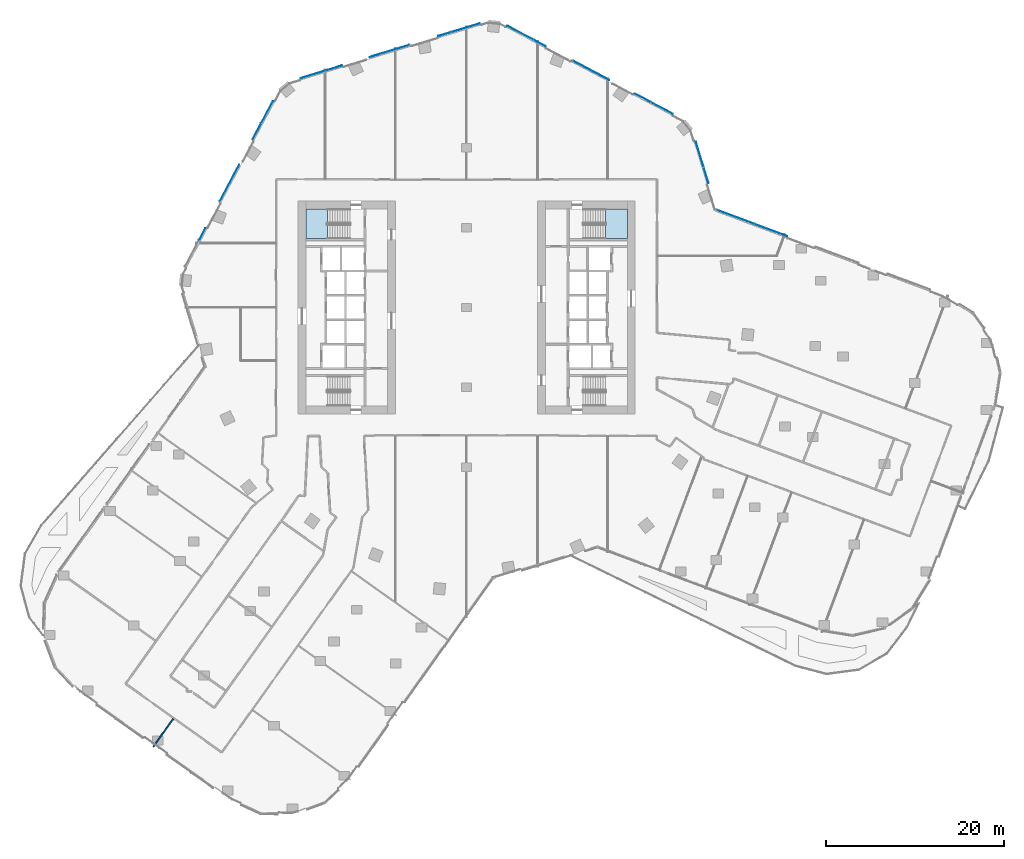
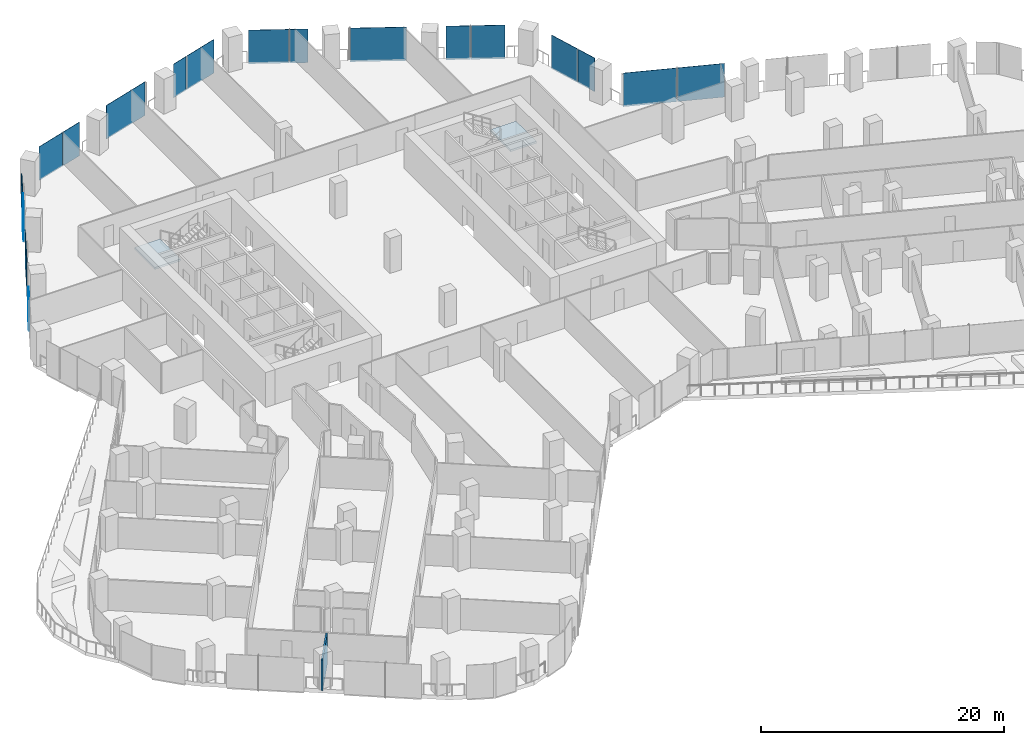
# One storey, part 20 of 30: 18 plates, 2 slabs, 1 wall, 7 elements without a shape of their own.
"""IFC4 building model written with IfcOpenShell, lengths in metres."""

from ifc_helpers import new_model, si_unit, direction, frame, frame_2d, origin, origin_2d, place, context, subcontext, project, spatial, polyline, rectangle, outline, extrude, material, layer, layer_set, type_object, element, aggregate, save


model = new_model("IFC4")

# Units and contexts
model_context = context("Model", 3, precision=1e-05, world=origin(), true_north=direction((0.0, 1.0)))
body_context = subcontext(model_context, "Body", "Model", "MODEL_VIEW")
ifc_project = project(units=[si_unit("LENGTHUNIT", "METRE"), si_unit("AREAUNIT", "SQUARE_METRE"), si_unit("VOLUMEUNIT", "CUBIC_METRE"), si_unit("PLANEANGLEUNIT", "RADIAN"), si_unit("MASSUNIT", "GRAM", prefix="KILO")], contexts=[model_context])

# Site, building, storey
site_placement = place(None, origin())
site = spatial("IfcSite", under=ifc_project, at=site_placement, CompositionType="ELEMENT")
building_placement = place(site_placement, origin())
building = spatial("IfcBuilding", under=site, at=building_placement, Name="Orlundy Tower", CompositionType="ELEMENT")
storey_placement = place(building_placement, frame((0.0, 0.0, 80.699951171875)))
storey = spatial("IfcBuildingStorey", under=building, at=storey_placement, Name="L19", CompositionType="ELEMENT", Elevation=80.699951171875)

# Curtain wall, plates
ifc_material_1 = material(Name="Aluminium bronze anodised", Category="aluminium")
curtain_wall_type = type_object("IfcCurtainWallType", Name="CW1 wall", PredefinedType="NOTDEFINED", material=ifc_material_1)
curtain_wall_1_placement = place(storey_placement, origin())
curtain_wall_1 = element("IfcCurtainWall", 1, at=curtain_wall_1_placement, inside=storey, type_object=curtain_wall_type, Name="CW1 run 02", PredefinedType="NOTDEFINED")
ifc_material_2 = material(Name="Tinted glass", Category="glass")
ifc_layer_1 = layer(ifc_material_2, 0.031982421875)
ifc_layer_set_1 = layer_set([ifc_layer_1], Name="CW1 glass panel 32")
plate_type = type_object("IfcPlateType", Name="CW1 glass panel 32", PredefinedType="CURTAIN_PANEL", material=ifc_layer_set_1)
plate_1_placement = place(storey_placement, frame((-29.769287109375, 8.262451171875, -0.27978515625), z_axis=(0.0, 0.0, 1.0), x_axis=(0.469445471129, 0.882961465544, 0.0)))
plate_1 = element("IfcPlate", 2, at=plate_1_placement, type_object=plate_type, Name="CW1 panel", PredefinedType="CURTAIN_PANEL", context=body_context, shape_type="SweptSolid", body=[
    extrude(rectangle(XDim=1.500732421875, YDim=0.031982421875, at=origin_2d()), origin(), (0.0, 0.0, 1.0), 3.3798828125),
])
plate_2_placement = place(storey_placement, frame((-26.697265625, 14.040771484375, -0.27978515625), z_axis=(0.0, 0.0, 1.0), x_axis=(0.469445471129, 0.882961465544, 0.0)))
plate_2 = element("IfcPlate", 3, at=plate_2_placement, type_object=plate_type, Name="CW1 panel", PredefinedType="CURTAIN_PANEL", context=body_context, shape_type="SweptSolid", body=[
    extrude(rectangle(XDim=4.6484375, YDim=0.031982421875, at=origin_2d()), origin(), (0.0, 0.0, 1.0), 3.3798828125),
])
plate_3_placement = place(storey_placement, frame((-23.61865234375, 19.8310546875, -0.27978515625), z_axis=(0.0, 0.0, 1.0), x_axis=(0.469445471129, 0.882961465544, 0.0)))
plate_3 = element("IfcPlate", 4, at=plate_3_placement, type_object=plate_type, Name="CW1 panel", PredefinedType="CURTAIN_PANEL", context=body_context, shape_type="SweptSolid", body=[
    extrude(rectangle(XDim=2.018310546875, YDim=0.031982421875, at=origin_2d()), origin(), (0.0, 0.0, 1.0), 3.3798828125),
])
plate_4_placement = place(storey_placement, frame((-22.465576171875, 22.0, -0.27978515625), z_axis=(0.0, 0.0, 1.0), x_axis=(0.469445471129, 0.882961465544, 0.0)))
plate_4 = element("IfcPlate", 5, at=plate_4_placement, type_object=plate_type, Name="CW1 panel", PredefinedType="CURTAIN_PANEL", context=body_context, shape_type="SweptSolid", body=[
    extrude(rectangle(XDim=2.79443359375, YDim=0.031982421875, at=origin_2d()), origin(), (0.0, 0.0, 1.0), 3.3798828125),
])
aggregate(curtain_wall_1, [plate_1, plate_2, plate_3, plate_4])

curtain_wall_2_placement = place(storey_placement, origin())
curtain_wall_2 = element("IfcCurtainWall", 6, at=curtain_wall_2_placement, inside=storey, type_object=curtain_wall_type, Name="CW1 run 03", PredefinedType="NOTDEFINED")
plate_5_placement = place(storey_placement, frame((-17.322998046875, 26.24609375, -0.27978515625), z_axis=(0.0, 0.0, 1.0), x_axis=(0.956308143364, 0.292360624804, 0.0)))
plate_5 = element("IfcPlate", 7, at=plate_5_placement, type_object=plate_type, Name="CW1 panel", PredefinedType="CURTAIN_PANEL", context=body_context, shape_type="SweptSolid", body=[
    extrude(rectangle(XDim=2.822265625, YDim=0.031982421875, at=origin_2d()), origin(), (0.0, 0.0, 1.0), 3.3798828125),
])
plate_6_placement = place(storey_placement, frame((-14.978271484375, 26.962890625, -0.27978515625), z_axis=(0.0, 0.0, 1.0), x_axis=(0.956308143364, 0.292360624804, 0.0)))
plate_6 = element("IfcPlate", 8, at=plate_6_placement, type_object=plate_type, Name="CW1 panel", PredefinedType="CURTAIN_PANEL", context=body_context, shape_type="SweptSolid", body=[
    extrude(rectangle(XDim=1.981201171875, YDim=0.031982421875, at=origin_2d()), origin(), (0.0, 0.0, 1.0), 3.3798828125),
])
plate_7_placement = place(storey_placement, frame((-8.69580078125, 28.883544921875, -0.27978515625), z_axis=(0.0, 0.0, 1.0), x_axis=(0.956308143364, 0.292360624804, 0.0)))
plate_7 = element("IfcPlate", 9, at=plate_7_placement, type_object=plate_type, Name="CW1 panel", PredefinedType="CURTAIN_PANEL", context=body_context, shape_type="SweptSolid", body=[
    extrude(rectangle(XDim=4.661865234375, YDim=0.031982421875, at=origin_2d()), origin(), (0.0, 0.0, 1.0), 3.3798828125),
])
plate_8_placement = place(storey_placement, frame((-2.43701171875, 30.797119140625, -0.27978515625), z_axis=(0.0, 0.0, 1.0), x_axis=(0.956308143364, 0.292360624804, 0.0)))
plate_8 = element("IfcPlate", 10, at=plate_8_placement, type_object=plate_type, Name="CW1 panel", PredefinedType="CURTAIN_PANEL", context=body_context, shape_type="SweptSolid", body=[
    extrude(rectangle(XDim=1.513671875, YDim=0.031982421875, at=origin_2d()), origin(), (0.0, 0.0, 1.0), 3.3798828125),
])
plate_9_placement = place(storey_placement, frame((-0.092041015625, 31.513916015625, -0.27978515625), z_axis=(0.0, 0.0, 1.0), x_axis=(0.956308143364, 0.292360624804, 0.0)))
plate_9 = element("IfcPlate", 11, at=plate_9_placement, type_object=plate_type, Name="CW1 panel", PredefinedType="CURTAIN_PANEL", context=body_context, shape_type="SweptSolid", body=[
    extrude(rectangle(XDim=3.29052734375, YDim=0.031982421875, at=origin_2d()), origin(), (0.0, 0.0, 1.0), 3.3798828125),
])
aggregate(curtain_wall_2, [plate_5, plate_6, plate_7, plate_8, plate_9])

curtain_wall_3_placement = place(storey_placement, origin())
curtain_wall_3 = element("IfcCurtainWall", 12, at=curtain_wall_3_placement, inside=storey, type_object=curtain_wall_type, Name="CW1 run 04", PredefinedType="NOTDEFINED")
plate_10_placement = place(storey_placement, frame((6.087158203125, 30.926025390625, -0.27978515625), z_axis=(0.0, 0.0, 1.0), x_axis=(0.882961465544, -0.469445471129, 0.0)))
plate_10 = element("IfcPlate", 13, at=plate_10_placement, type_object=plate_type, Name="CW1 panel", PredefinedType="CURTAIN_PANEL", context=body_context, shape_type="SweptSolid", body=[
    extrude(rectangle(XDim=3.326416015625, YDim=0.031982421875, at=origin_2d()), origin(), (0.0, 0.0, 1.0), 3.3798828125),
])
plate_11_placement = place(storey_placement, frame((8.262451171875, 29.769287109375, -0.27978515625), z_axis=(0.0, 0.0, 1.0), x_axis=(0.882961465544, -0.469445471129, 0.0)))
plate_11 = element("IfcPlate", 14, at=plate_11_placement, type_object=plate_type, Name="CW1 panel", PredefinedType="CURTAIN_PANEL", context=body_context, shape_type="SweptSolid", body=[
    extrude(rectangle(XDim=1.500732421875, YDim=0.031982421875, at=origin_2d()), origin(), (0.0, 0.0, 1.0), 3.3798828125),
])
plate_12_placement = place(storey_placement, frame((14.040771484375, 26.697265625, -0.27978515625), z_axis=(0.0, 0.0, 1.0), x_axis=(0.882961465544, -0.469445471129, 0.0)))
plate_12 = element("IfcPlate", 15, at=plate_12_placement, type_object=plate_type, Name="CW1 panel", PredefinedType="CURTAIN_PANEL", context=body_context, shape_type="SweptSolid", body=[
    extrude(rectangle(XDim=4.6484375, YDim=0.031982421875, at=origin_2d()), origin(), (0.0, 0.0, 1.0), 3.3798828125),
])
plate_13_placement = place(storey_placement, frame((19.8310546875, 23.61865234375, -0.27978515625), z_axis=(0.0, 0.0, 1.0), x_axis=(0.882961465544, -0.469445471129, 0.0)))
plate_13 = element("IfcPlate", 16, at=plate_13_placement, type_object=plate_type, Name="CW1 panel", PredefinedType="CURTAIN_PANEL", context=body_context, shape_type="SweptSolid", body=[
    extrude(rectangle(XDim=2.018310546875, YDim=0.031982421875, at=origin_2d()), origin(), (0.0, 0.0, 1.0), 3.3798828125),
])
plate_14_placement = place(storey_placement, frame((22.0, 22.465576171875, -0.27978515625), z_axis=(0.0, 0.0, 1.0), x_axis=(0.882961465544, -0.469445471129, 0.0)))
plate_14 = element("IfcPlate", 17, at=plate_14_placement, type_object=plate_type, Name="CW1 panel", PredefinedType="CURTAIN_PANEL", context=body_context, shape_type="SweptSolid", body=[
    extrude(rectangle(XDim=2.79443359375, YDim=0.031982421875, at=origin_2d()), origin(), (0.0, 0.0, 1.0), 3.3798828125),
])
aggregate(curtain_wall_3, [plate_10, plate_11, plate_12, plate_13, plate_14])

curtain_wall_4_placement = place(storey_placement, origin())
curtain_wall_4 = element("IfcCurtainWall", 18, at=curtain_wall_4_placement, inside=storey, type_object=curtain_wall_type, Name="CW1 run 05", PredefinedType="NOTDEFINED")
plate_15_placement = place(storey_placement, frame((26.267822265625, 17.252197265625, -0.27978515625), z_axis=(0.0, 0.0, 1.0), x_axis=(0.292362470314, -0.956307579156, 0.0)))
plate_15 = element("IfcPlate", 19, at=plate_15_placement, type_object=plate_type, Name="CW1 panel", PredefinedType="CURTAIN_PANEL", context=body_context, shape_type="SweptSolid", body=[
    extrude(rectangle(XDim=2.97021484375, YDim=0.031982421875, at=origin_2d()), origin(), (0.0, 0.0, 1.0), 3.3798828125),
])
plate_16_placement = place(storey_placement, frame((26.984619140625, 14.907470703125, -0.27978515625), z_axis=(0.0, 0.0, 1.0), x_axis=(0.292362470314, -0.956307579156, 0.0)))
plate_16 = element("IfcPlate", 20, at=plate_16_placement, type_object=plate_type, Name="CW1 panel", PredefinedType="CURTAIN_PANEL", context=body_context, shape_type="SweptSolid", body=[
    extrude(rectangle(XDim=1.8330078125, YDim=0.031982421875, at=origin_2d()), origin(), (0.0, 0.0, 1.0), 3.3798828125),
])
aggregate(curtain_wall_4, [plate_15, plate_16])

curtain_wall_5_placement = place(storey_placement, origin())
curtain_wall_5 = element("IfcCurtainWall", 21, at=curtain_wall_5_placement, inside=storey, type_object=curtain_wall_type, Name="CW1 run 06", PredefinedType="NOTDEFINED")
plate_17_placement = place(storey_placement, frame((30.28173828125, 10.205322265625, -0.27978515625), z_axis=(0.0, 0.0, 1.0), x_axis=(0.93667352363, -0.350203812273, 0.0)))
plate_17 = element("IfcPlate", 22, at=plate_17_placement, type_object=plate_type, Name="CW1 panel", PredefinedType="CURTAIN_PANEL", context=body_context, shape_type="SweptSolid", body=[
    extrude(rectangle(XDim=4.48291015625, YDim=0.031982421875, at=origin_2d()), origin(), (0.0, 0.0, 1.0), 3.3798828125),
])
plate_18_placement = place(storey_placement, frame((34.262451171875, 8.717041015625, -0.27978515625), z_axis=(0.0, 0.0, 1.0), x_axis=(0.93667352363, -0.350203812273, 0.0)))
plate_18 = element("IfcPlate", 23, at=plate_18_placement, type_object=plate_type, Name="CW1 panel", PredefinedType="CURTAIN_PANEL", context=body_context, shape_type="SweptSolid", body=[
    extrude(rectangle(XDim=3.9169921875, YDim=0.031982421875, at=origin_2d()), origin(), (0.0, 0.0, 1.0), 3.3798828125),
])
aggregate(curtain_wall_5, [plate_17, plate_18])

# Stair, slab
ifc_material_3 = material(Name="Concrete C50/60", Category="concrete")
stair_type = type_object("IfcStairType", Name="Exit Stair 20 risers", PredefinedType="HALF_TURN_STAIR", material=ifc_material_3)
stair_1_placement = place(storey_placement, origin())
stair_1 = element("IfcStair", 24, at=stair_1_placement, inside=storey, type_object=stair_type, Name="L19 Exit Stair ST-W1", PredefinedType="HALF_TURN_STAIR")
ifc_material_4 = material(Name="Concrete C50/60", Category="concrete")
ifc_layer_2 = layer(ifc_material_4, 0.199951171875)
ifc_layer_set_2 = layer_set([ifc_layer_2], Name="Exit Stair Landing")
slab_type = type_object("IfcSlabType", Name="Exit Stair Landing", PredefinedType="LANDING", material=ifc_layer_set_2)
slab_1_placement = place(storey_placement, frame((0.0, 0.0, 1.550048828125)))
slab_1 = element("IfcSlab", 25, at=slab_1_placement, type_object=slab_type, Name="ST-W1 landing 1", PredefinedType="LANDING", context=body_context, shape_type="SweptSolid", body=[
    extrude(outline(polyline([(-15.659912109375, 11.10009765625), (-18.10009765625, 11.10009765625), (-18.10009765625, 7.75), (-15.659912109375, 7.75), (-15.659912109375, 11.10009765625)])), origin(), (0.0, 0.0, 1.0), 0.199951171875),
])
aggregate(stair_1, [slab_1])

stair_2_placement = place(storey_placement, origin())
stair_2 = element("IfcStair", 26, at=stair_2_placement, inside=storey, type_object=stair_type, Name="L19 Exit Stair ST-E2", PredefinedType="HALF_TURN_STAIR")
slab_2_placement = place(storey_placement, frame((0.0, 0.0, 1.550048828125)))
slab_2 = element("IfcSlab", 27, at=slab_2_placement, type_object=slab_type, Name="ST-E2 landing 1", PredefinedType="LANDING", context=body_context, shape_type="SweptSolid", body=[
    extrude(outline(polyline([(15.659912109375, 7.75), (18.10009765625, 7.75), (18.10009765625, 11.10009765625), (15.659912109375, 11.10009765625), (15.659912109375, 7.75)])), origin(), (0.0, 0.0, 1.0), 0.199951171875),
])
aggregate(stair_2, [slab_2])

# Wall
ifc_material_5 = material(Name="Blockwork shaft wall", Category="masonry")
ifc_layer_3 = layer(ifc_material_5, 0.14990234375)
ifc_layer_set_3 = layer_set([ifc_layer_3], Name="Floor shaft wall 150")
wall_type = type_object("IfcWallType", Name="Floor shaft wall 150", PredefinedType="PARTITIONING", material=ifc_layer_set_3)
wall_placement = place(storey_placement, frame((-35.277099609375, -49.4580078125, 0.0), z_axis=(0.0, 0.0, 1.0), x_axis=(0.580457100941, 0.814290828861, 0.0)))
element("IfcWall", 28, at=wall_placement, inside=storey, type_object=wall_type, Name="wall-int-L19-062", PredefinedType="PARTITIONING", context=body_context, shape_type="SweptSolid", body=[
    extrude(rectangle(XDim=3.87451171875, YDim=0.14990234375, at=frame_2d((1.937255859375, 0.0))), origin(), (0.0, 0.0, 1.0), 3.080078125),
])

save(model, "model.ifc")
